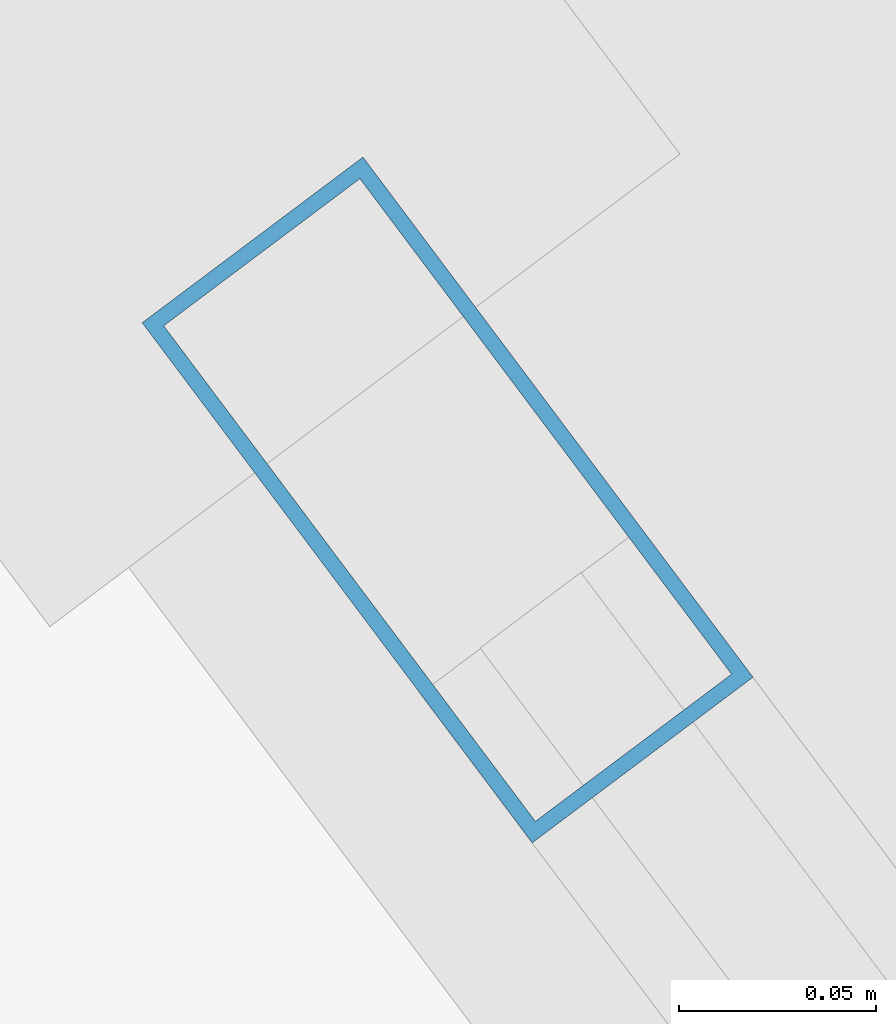
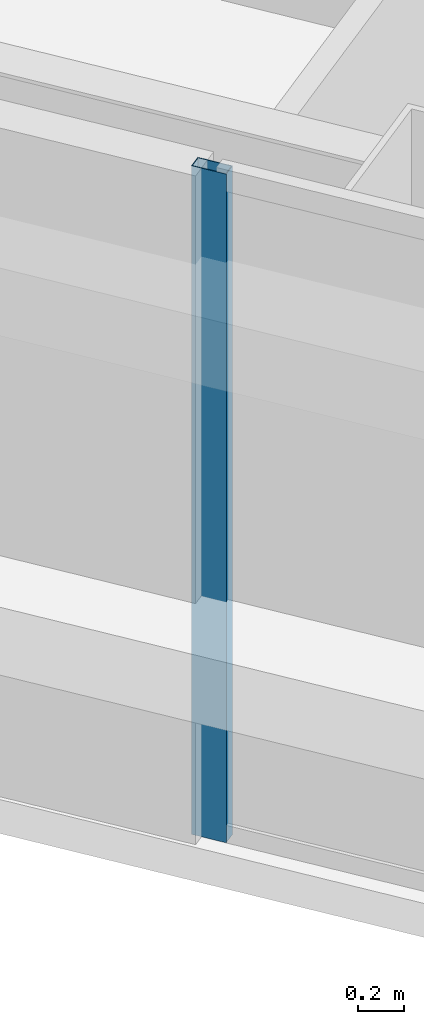
# One storey, part 17 of 47: 1 member, 1 element without a shape of its own.
"""IFC4 building model written with IfcOpenShell, lengths in metres."""

from ifc_helpers import new_model, si_unit, direction, frame, origin, origin_2d, place, context, subcontext, project, spatial, hollow_rectangle, extrude, material, material_profile, profile_set, type_object, element, aggregate, save


model = new_model("IFC4")

# Units and contexts
model_context = context("Model", 3, precision=1e-05, world=origin(), true_north=direction((0.0, 1.0)))
body_context = subcontext(model_context, "Body", "Model", "MODEL_VIEW")
ifc_project = project(units=[si_unit("LENGTHUNIT", "METRE"), si_unit("AREAUNIT", "SQUARE_METRE"), si_unit("VOLUMEUNIT", "CUBIC_METRE"), si_unit("PLANEANGLEUNIT", "RADIAN"), si_unit("MASSUNIT", "GRAM", prefix="KILO")], contexts=[model_context])

# Site, building, storey
site_placement = place(None, origin())
site = spatial("IfcSite", under=ifc_project, at=site_placement, CompositionType="ELEMENT")
building_placement = place(site_placement, origin())
building = spatial("IfcBuilding", under=site, at=building_placement, Name="Tashvorn Skyway Center", CompositionType="ELEMENT")
storey_placement = place(building_placement, frame((0.0, 0.0, 204.199951171875)))
storey = spatial("IfcBuildingStorey", under=building, at=storey_placement, Name="L55", CompositionType="ELEMENT", Elevation=204.199951171875)

# Curtain wall, member
ifc_material = material(Name="Thermally broken bronze-anodized aluminium 6063-T6", Category="aluminium")
curtain_wall_type = type_object("IfcCurtainWallType", Name="CW-CW-Z5", PredefinedType="NOTDEFINED", material=ifc_material)
curtain_wall_placement = place(storey_placement, origin())
curtain_wall = element("IfcCurtainWall", 1, at=curtain_wall_placement, inside=storey, type_object=curtain_wall_type, Name="Tower 2 L55 West Unitised Curtain Wall Glazing Group 1", PredefinedType="NOTDEFINED")
ifc_material_profile = material_profile(ifc_material, hollow_rectangle(XDim=0.070068359375, YDim=0.1650390625, WallThickness=0.00390625, at=origin_2d()), Name="ALU-MULL-70x165")
ifc_profile_set = profile_set([ifc_material_profile], Name="Thermally broken bronze-anodized aluminium 6063-T6")
member_type = type_object("IfcMemberType", Name="CWM-CW-Z5", PredefinedType="MULLION", material=ifc_profile_set)
member_placement = place(storey_placement, frame((104.3330078125, 19.08935546875, 0.0), z_axis=(0.0, 0.0, 1.0), x_axis=(-0.799998664683, -0.600001780418, 0.0)))
member = element("IfcMember", 2, at=member_placement, type_object=member_type, Name="CW-Z5 mullion 2", PredefinedType="MULLION", context=body_context, shape_type="SweptSolid", body=[
    extrude(hollow_rectangle(XDim=0.070068359375, YDim=0.1650390625, WallThickness=0.00390625, at=origin_2d()), origin(), (0.0, 0.0, 1.0), 3.550048828125),
])
aggregate(curtain_wall, [member])

save(model, "model.ifc")
